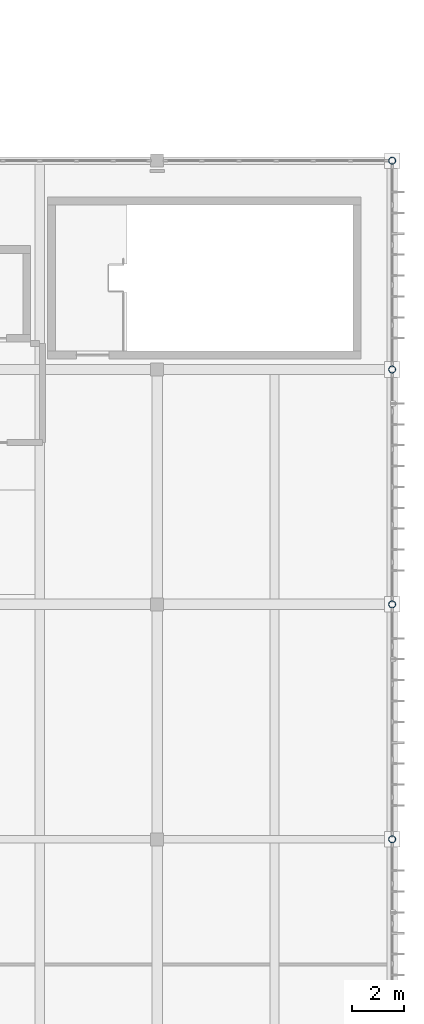
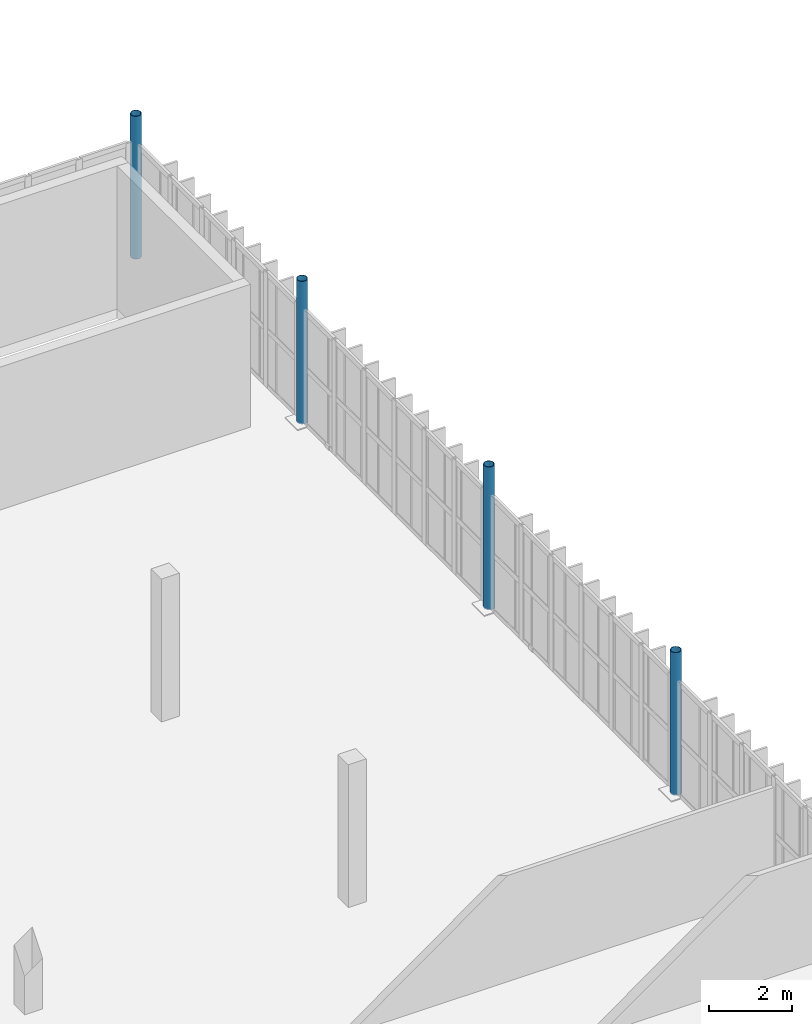
# One storey, part 4 of 61: 4 columns.
"""IFC4 building model written with IfcOpenShell, lengths in metres."""

from ifc_helpers import new_model, si_unit, direction, frame, origin, origin_2d, place, context, subcontext, project, spatial, hollow_circle, extrude, material, material_profile, profile_set, type_object, element, save


model = new_model("IFC4")

# Units and contexts
model_context = context("Model", 3, precision=1e-05, world=origin(), true_north=direction((0.0, 1.0)))
body_context = subcontext(model_context, "Body", "Model", "MODEL_VIEW")
ifc_project = project(units=[si_unit("LENGTHUNIT", "METRE"), si_unit("AREAUNIT", "SQUARE_METRE"), si_unit("VOLUMEUNIT", "CUBIC_METRE"), si_unit("PLANEANGLEUNIT", "RADIAN"), si_unit("MASSUNIT", "GRAM", prefix="KILO")], contexts=[model_context])

# Site, building, storey
site_placement = place(None, origin())
site = spatial("IfcSite", under=ifc_project, at=site_placement, CompositionType="ELEMENT")
building_placement = place(site_placement, origin())
building = spatial("IfcBuilding", under=site, at=building_placement, Name="Vourika Railside Aquatics Centre", CompositionType="ELEMENT")
storey_placement = place(building_placement, frame((0.0, 0.0, 9.300048828125)))
storey = spatial("IfcBuildingStorey", under=building, at=storey_placement, Name="L02", CompositionType="ELEMENT", Elevation=9.300048828125)

# Columns
ifc_material = material(Name="Steel S355J2", Category="steel")
ifc_material_profile = material_profile(ifc_material, hollow_circle(Radius=0.136474609375, WallThickness=0.012451171875, at=origin_2d()), Name="CHS 273x12.5")
ifc_profile_set = profile_set([ifc_material_profile], Name="Steel S355J2")
column_type = type_object("IfcColumnType", Name="COL-STL-CHS273", PredefinedType="COLUMN", material=ifc_profile_set)
for number, where, z_axis, x_axis, name in (
    (1, (168.0, 66.0, 0.0), (0.0, 0.0, 1.0), (1.0, 0.0, 0.0), "Column col:L02:1680_660"),
    (2, (168.0, 75.0, 0.0), (0.0, 0.0, 1.0), (1.0, 0.0, 0.0), "Column col:L02:1680_750"),
    (3, (168.0, 84.0, 0.0), (0.0, 0.0, 1.0), (1.0, 0.0, 0.0), "Column col:L02:1680_840"),
    (4, (168.0, 92.0, 0.0), (0.0, 0.0, 1.0), (1.0, 0.0, 0.0), "Column col:L02:1680_920"),
):
    element("IfcColumn", number, at=place(storey_placement, frame(where, z_axis=z_axis, x_axis=x_axis)), inside=storey, type_object=column_type, Name=name, PredefinedType="COLUMN", context=body_context, shape_type="SweptSolid", body=[
        extrude(hollow_circle(Radius=0.136474609375, WallThickness=0.012451171875, at=origin_2d()), origin(), (0.0, 0.0, 1.0), 4.199951171875),
    ])

save(model, "model.ifc")
